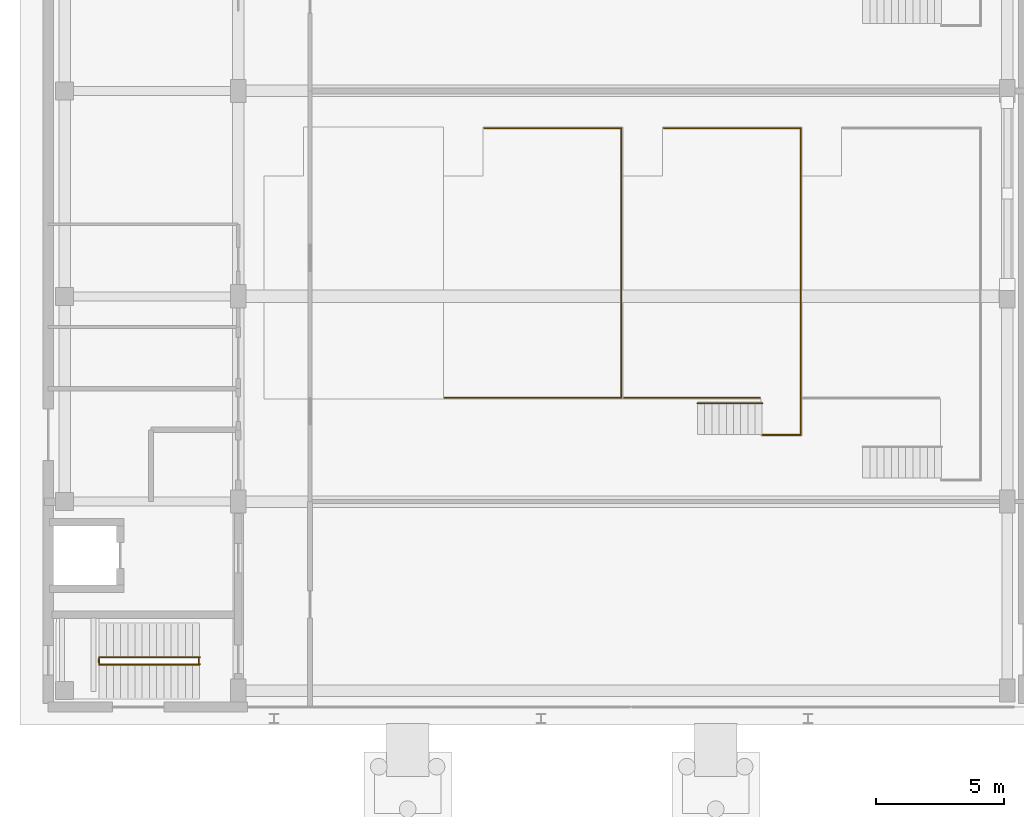
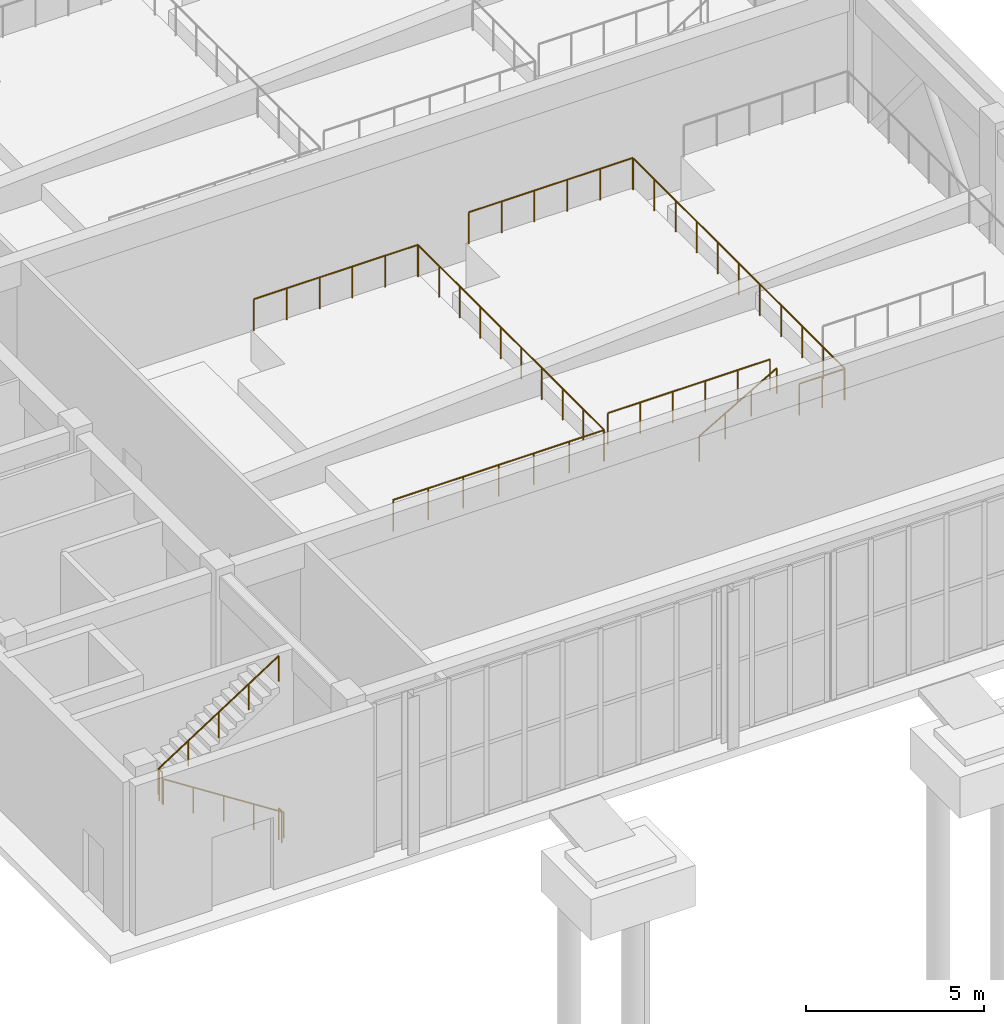
# One storey, part 38 of 46: 12 railings.
"""IFC4 building model written with IfcOpenShell, lengths in metres."""

from ifc_helpers import new_model, si_unit, direction, frame, origin, origin_2d, place, context, subcontext, project, spatial, circle, extrude, material, type_object, element, save


model = new_model("IFC4")

# Units and contexts
model_context = context("Model", 3, precision=1e-05, world=origin(), true_north=direction((0.0, 1.0)))
body_context = subcontext(model_context, "Body", "Model", "MODEL_VIEW")
ifc_project = project(units=[si_unit("LENGTHUNIT", "METRE"), si_unit("AREAUNIT", "SQUARE_METRE"), si_unit("VOLUMEUNIT", "CUBIC_METRE"), si_unit("PLANEANGLEUNIT", "RADIAN"), si_unit("MASSUNIT", "GRAM", prefix="KILO")], contexts=[model_context])

# Site, building, storey
site_placement = place(None, origin())
site = spatial("IfcSite", under=ifc_project, at=site_placement, CompositionType="ELEMENT")
building_placement = place(site_placement, origin())
building = spatial("IfcBuilding", under=site, at=building_placement, Name="Cinchona Park Media Centre", CompositionType="ELEMENT")
storey_placement = place(building_placement, origin())
storey = spatial("IfcBuildingStorey", under=building, at=storey_placement, Name="L00", CompositionType="ELEMENT", Elevation=0.0)

# Railings
ifc_material_1 = material(Name="Painted Steel Stairwell Guardrail", Category="steel")
railing_type_1 = type_object("IfcRailingType", Name="RAILING-GR02", PredefinedType="GUARDRAIL", material=ifc_material_1)
for number, where, name in (
    (1, (13.864990234375, 9.320068359375, 0.0), "Stairwell Guardrail GR02 ST6 L00"),
    (2, (9.97998046875, 9.320068359375, 2.699951171875), "Half-Landing Guardrail GR02 ST6 L00"),
):
    element("IfcRailing", number, at=place(storey_placement, frame(where)), inside=storey, type_object=railing_type_1, Name=name, PredefinedType="GUARDRAIL", context=body_context, shape_type="SweptSolid", body=[
        extrude(circle(Radius=0.02392578125, at=origin_2d()), frame((0.0, 0.0, 1.076171875), z_axis=(0.0, 1.0, 0.0), x_axis=(-1.0, 0.0, 0.0)), (0.0, 0.0, 1.0), 0.159912109375),
        extrude(circle(Radius=0.02099609375, at=origin_2d()), origin(), (0.0, 0.0, 1.0), 1.052001953125),
        extrude(circle(Radius=0.02099609375, at=origin_2d()), frame((0.0, 0.159912109375, 0.0)), (0.0, 0.0, 1.0), 1.052001953125),
    ])
railing_1_placement = place(storey_placement, frame((30.320068359375, 19.679931640625, 1.080078125)))
element("IfcRailing", 3, at=railing_1_placement, inside=storey, type_object=railing_type_1, Name="Auditorium Tier Guardrail GR02 123", PredefinedType="GUARDRAIL", context=body_context, shape_type="SweptSolid", body=[
    extrude(circle(Radius=0.02392578125, at=origin_2d()), frame((0.0, 0.0, 1.076171875), z_axis=(0.0, 1.0, 0.0), x_axis=(-1.0, 0.0, 0.0)), (0.0, 0.0, 1.0), 10.440185546875),
    extrude(circle(Radius=0.02099609375, at=origin_2d()), origin(), (0.0, 0.0, 1.0), 1.052001953125),
    extrude(circle(Radius=0.02099609375, at=origin_2d()), frame((0.0, 1.159912109375, 0.0)), (0.0, 0.0, 1.0), 1.052001953125),
    extrude(circle(Radius=0.02099609375, at=origin_2d()), frame((0.0, 2.320068359375, 0.0)), (0.0, 0.0, 1.0), 1.052001953125),
    extrude(circle(Radius=0.02099609375, at=origin_2d()), frame((0.0, 3.47998046875, 0.0)), (0.0, 0.0, 1.0), 1.052001953125),
    extrude(circle(Radius=0.02099609375, at=origin_2d()), frame((0.0, 4.64013671875, 0.0)), (0.0, 0.0, 1.0), 1.052001953125),
    extrude(circle(Radius=0.02099609375, at=origin_2d()), frame((0.0, 5.800048828125, 0.0)), (0.0, 0.0, 1.0), 1.052001953125),
    extrude(circle(Radius=0.02099609375, at=origin_2d()), frame((0.0, 6.960205078125, 0.0)), (0.0, 0.0, 1.0), 1.052001953125),
    extrude(circle(Radius=0.02099609375, at=origin_2d()), frame((0.0, 8.1201171875, 0.0)), (0.0, 0.0, 1.0), 1.052001953125),
    extrude(circle(Radius=0.02099609375, at=origin_2d()), frame((0.0, 9.2802734375, 0.0)), (0.0, 0.0, 1.0), 1.052001953125),
    extrude(circle(Radius=0.02099609375, at=origin_2d()), frame((0.0, 10.440185546875, 0.0)), (0.0, 0.0, 1.0), 1.052001953125),
])
railing_2_placement = place(storey_placement, frame((23.449951171875, 19.64990234375, 1.080078125)))
element("IfcRailing", 4, at=railing_2_placement, inside=storey, type_object=railing_type_1, Name="Auditorium Tier Side Guardrail GR02 124", PredefinedType="GUARDRAIL", context=body_context, shape_type="SweptSolid", body=[
    extrude(circle(Radius=0.02392578125, at=origin_2d()), frame((0.0, 0.0, 1.076171875), z_axis=(1.0, 0.0, 0.0), x_axis=(0.0, 1.0, 0.0)), (0.0, 0.0, 1.0), 6.8701171875),
    extrude(circle(Radius=0.02099609375, at=origin_2d()), origin(), (0.0, 0.0, 1.0), 1.052001953125),
    extrude(circle(Radius=0.02099609375, at=origin_2d()), frame((1.14501953125, 0.0, 0.0)), (0.0, 0.0, 1.0), 1.052001953125),
    extrude(circle(Radius=0.02099609375, at=origin_2d()), frame((2.2900390625, 0.0, 0.0)), (0.0, 0.0, 1.0), 1.052001953125),
    extrude(circle(Radius=0.02099609375, at=origin_2d()), frame((3.43505859375, 0.0, 0.0)), (0.0, 0.0, 1.0), 1.052001953125),
    extrude(circle(Radius=0.02099609375, at=origin_2d()), frame((4.580078125, 0.0, 0.0)), (0.0, 0.0, 1.0), 1.052001953125),
    extrude(circle(Radius=0.02099609375, at=origin_2d()), frame((5.72509765625, 0.0, 0.0)), (0.0, 0.0, 1.0), 1.052001953125),
    extrude(circle(Radius=0.02099609375, at=origin_2d()), frame((6.8701171875, 0.0, 0.0)), (0.0, 0.0, 1.0), 1.052001953125),
])
railing_3_placement = place(storey_placement, frame((30.320068359375, 30.14990234375, 1.080078125)))
element("IfcRailing", 5, at=railing_3_placement, inside=storey, type_object=railing_type_1, Name="Auditorium Tier Side Guardrail GR02 125", PredefinedType="GUARDRAIL", context=body_context, shape_type="SweptSolid", body=[
    extrude(circle(Radius=0.02392578125, at=origin_2d()), frame((0.0, 0.0, 1.076171875), z_axis=(-1.0, 0.0, 0.0), x_axis=(0.0, -1.0, 0.0)), (0.0, 0.0, 1.0), 5.33203125),
    extrude(circle(Radius=0.02099609375, at=origin_2d()), origin(), (0.0, 0.0, 1.0), 1.052001953125),
    extrude(circle(Radius=0.02099609375, at=origin_2d()), frame((-1.06640625, 0.0, 0.0)), (0.0, 0.0, 1.0), 1.052001953125),
    extrude(circle(Radius=0.02099609375, at=origin_2d()), frame((-2.1328125, 0.0, 0.0)), (0.0, 0.0, 1.0), 1.052001953125),
    extrude(circle(Radius=0.02099609375, at=origin_2d()), frame((-3.19921875, 0.0, 0.0)), (0.0, 0.0, 1.0), 1.052001953125),
    extrude(circle(Radius=0.02099609375, at=origin_2d()), frame((-4.265625, 0.0, 0.0)), (0.0, 0.0, 1.0), 1.052001953125),
    extrude(circle(Radius=0.02099609375, at=origin_2d()), frame((-5.33203125, 0.0, 0.0)), (0.0, 0.0, 1.0), 1.052001953125),
])
railing_4_placement = place(storey_placement, frame((37.31005859375, 18.22998046875, 1.6201171875)))
element("IfcRailing", 6, at=railing_4_placement, inside=storey, type_object=railing_type_1, Name="Auditorium Tier Guardrail GR02 126", PredefinedType="GUARDRAIL", context=body_context, shape_type="SweptSolid", body=[
    extrude(circle(Radius=0.02392578125, at=origin_2d()), frame((0.0, 0.0, 1.076171875), z_axis=(0.0, 1.0, 0.0), x_axis=(-1.0, 0.0, 0.0)), (0.0, 0.0, 1.0), 11.89013671875),
    extrude(circle(Radius=0.02099609375, at=origin_2d()), origin(), (0.0, 0.0, 1.0), 1.052001953125),
    extrude(circle(Radius=0.02099609375, at=origin_2d()), frame((0.0, 1.18896484375, 0.0)), (0.0, 0.0, 1.0), 1.052001953125),
    extrude(circle(Radius=0.02099609375, at=origin_2d()), frame((0.0, 2.3779296875, 0.0)), (0.0, 0.0, 1.0), 1.052001953125),
    extrude(circle(Radius=0.02099609375, at=origin_2d()), frame((0.0, 3.567138671875, 0.0)), (0.0, 0.0, 1.0), 1.052001953125),
    extrude(circle(Radius=0.02099609375, at=origin_2d()), frame((0.0, 4.756103515625, 0.0)), (0.0, 0.0, 1.0), 1.052001953125),
    extrude(circle(Radius=0.02099609375, at=origin_2d()), frame((0.0, 5.945068359375, 0.0)), (0.0, 0.0, 1.0), 1.052001953125),
    extrude(circle(Radius=0.02099609375, at=origin_2d()), frame((0.0, 7.134033203125, 0.0)), (0.0, 0.0, 1.0), 1.052001953125),
    extrude(circle(Radius=0.02099609375, at=origin_2d()), frame((0.0, 8.322998046875, 0.0)), (0.0, 0.0, 1.0), 1.052001953125),
    extrude(circle(Radius=0.02099609375, at=origin_2d()), frame((0.0, 9.51220703125, 0.0)), (0.0, 0.0, 1.0), 1.052001953125),
    extrude(circle(Radius=0.02099609375, at=origin_2d()), frame((0.0, 10.701171875, 0.0)), (0.0, 0.0, 1.0), 1.052001953125),
    extrude(circle(Radius=0.02099609375, at=origin_2d()), frame((0.0, 11.89013671875, 0.0)), (0.0, 0.0, 1.0), 1.052001953125),
])
railing_5_placement = place(storey_placement, frame((30.43994140625, 19.64990234375, 1.6201171875)))
element("IfcRailing", 7, at=railing_5_placement, inside=storey, type_object=railing_type_1, Name="Auditorium Tier Side Guardrail GR02 127", PredefinedType="GUARDRAIL", context=body_context, shape_type="SweptSolid", body=[
    extrude(circle(Radius=0.02392578125, at=origin_2d()), frame((0.0, 0.0, 1.076171875), z_axis=(1.0, 0.0, 0.0), x_axis=(0.0, 1.0, 0.0)), (0.0, 0.0, 1.0), 5.27001953125),
    extrude(circle(Radius=0.02099609375, at=origin_2d()), origin(), (0.0, 0.0, 1.0), 1.052001953125),
    extrude(circle(Radius=0.02099609375, at=origin_2d()), frame((1.053955078125, 0.0, 0.0)), (0.0, 0.0, 1.0), 1.052001953125),
    extrude(circle(Radius=0.02099609375, at=origin_2d()), frame((2.10791015625, 0.0, 0.0)), (0.0, 0.0, 1.0), 1.052001953125),
    extrude(circle(Radius=0.02099609375, at=origin_2d()), frame((3.162109375, 0.0, 0.0)), (0.0, 0.0, 1.0), 1.052001953125),
    extrude(circle(Radius=0.02099609375, at=origin_2d()), frame((4.216064453125, 0.0, 0.0)), (0.0, 0.0, 1.0), 1.052001953125),
    extrude(circle(Radius=0.02099609375, at=origin_2d()), frame((5.27001953125, 0.0, 0.0)), (0.0, 0.0, 1.0), 1.052001953125),
])
railing_6_placement = place(storey_placement, frame((35.830078125, 18.199951171875, 1.6201171875)))
element("IfcRailing", 8, at=railing_6_placement, inside=storey, type_object=railing_type_1, Name="Auditorium Tier Side Guardrail GR02 128", PredefinedType="GUARDRAIL", context=body_context, shape_type="SweptSolid", body=[
    extrude(circle(Radius=0.02392578125, at=origin_2d()), frame((0.0, 0.0, 1.076171875), z_axis=(1.0, 0.0, 0.0), x_axis=(0.0, 1.0, 0.0)), (0.0, 0.0, 1.0), 1.47998046875),
    extrude(circle(Radius=0.02099609375, at=origin_2d()), origin(), (0.0, 0.0, 1.0), 1.052001953125),
    extrude(circle(Radius=0.02099609375, at=origin_2d()), frame((0.739990234375, 0.0, 0.0)), (0.0, 0.0, 1.0), 1.052001953125),
    extrude(circle(Radius=0.02099609375, at=origin_2d()), frame((1.47998046875, 0.0, 0.0)), (0.0, 0.0, 1.0), 1.052001953125),
])
railing_7_placement = place(storey_placement, frame((37.31005859375, 30.14990234375, 1.6201171875)))
element("IfcRailing", 9, at=railing_7_placement, inside=storey, type_object=railing_type_1, Name="Auditorium Tier Side Guardrail GR02 129", PredefinedType="GUARDRAIL", context=body_context, shape_type="SweptSolid", body=[
    extrude(circle(Radius=0.02392578125, at=origin_2d()), frame((0.0, 0.0, 1.076171875), z_axis=(-1.0, 0.0, 0.0), x_axis=(0.0, -1.0, 0.0)), (0.0, 0.0, 1.0), 5.33203125),
    extrude(circle(Radius=0.02099609375, at=origin_2d()), origin(), (0.0, 0.0, 1.0), 1.052001953125),
    extrude(circle(Radius=0.02099609375, at=origin_2d()), frame((-1.06640625, 0.0, 0.0)), (0.0, 0.0, 1.0), 1.052001953125),
    extrude(circle(Radius=0.02099609375, at=origin_2d()), frame((-2.1328125, 0.0, 0.0)), (0.0, 0.0, 1.0), 1.052001953125),
    extrude(circle(Radius=0.02099609375, at=origin_2d()), frame((-3.19921875, 0.0, 0.0)), (0.0, 0.0, 1.0), 1.052001953125),
    extrude(circle(Radius=0.02099609375, at=origin_2d()), frame((-4.265625, 0.0, 0.0)), (0.0, 0.0, 1.0), 1.052001953125),
    extrude(circle(Radius=0.02099609375, at=origin_2d()), frame((-5.33203125, 0.0, 0.0)), (0.0, 0.0, 1.0), 1.052001953125),
])
ifc_material_2 = material(Name="Brushed Stainless Steel Handrail", Category="steel")
railing_type_2 = type_object("IfcRailingType", Name="RAILING-HR01", PredefinedType="HANDRAIL", material=ifc_material_2)
railing_8_placement = place(storey_placement, frame((13.89990234375, 9.260009765625, 0.179931640625)))
element("IfcRailing", 10, at=railing_8_placement, inside=storey, type_object=railing_type_2, Name="Stair Handrail HR01 ST6 L00 F1", PredefinedType="HANDRAIL", context=body_context, shape_type="SweptSolid", body=[
    extrude(circle(Radius=0.02392578125, at=origin_2d()), frame((0.0, 0.0, 0.8759765625), z_axis=(-0.841171666519, 0.0, 0.540768182723), x_axis=(0.0, -1.0, 0.0)), (0.0, 0.0, 1.0), 4.66015625),
    extrude(circle(Radius=0.02099609375, at=origin_2d()), origin(), (0.0, 0.0, 1.0), 0.851806640625),
    extrude(circle(Radius=0.02099609375, at=origin_2d()), frame((-0.97998046875, 0.0, 0.6298828125)), (0.0, 0.0, 1.0), 0.851806640625),
    extrude(circle(Radius=0.02099609375, at=origin_2d()), frame((-1.9599609375, 0.0, 1.260009765625)), (0.0, 0.0, 1.0), 0.851806640625),
    extrude(circle(Radius=0.02099609375, at=origin_2d()), frame((-2.93994140625, 0.0, 1.89013671875)), (0.0, 0.0, 1.0), 0.851806640625),
    extrude(circle(Radius=0.02099609375, at=origin_2d()), frame((-3.919921875, 0.0, 2.52001953125)), (0.0, 0.0, 1.0), 0.851806640625),
])
railing_9_placement = place(storey_placement, frame((9.97998046875, 9.5400390625, 2.8798828125)))
element("IfcRailing", 11, at=railing_9_placement, inside=storey, type_object=railing_type_2, Name="Stair Handrail HR01 ST6 L00 F2", PredefinedType="HANDRAIL", context=body_context, shape_type="SweptSolid", body=[
    extrude(circle(Radius=0.02392578125, at=origin_2d()), frame((0.0, 0.0, 0.8759765625), z_axis=(0.841171666519, 0.0, 0.540768182723), x_axis=(0.0, 1.0, 0.0)), (0.0, 0.0, 1.0), 4.66015625),
    extrude(circle(Radius=0.02099609375, at=origin_2d()), origin(), (0.0, 0.0, 1.0), 0.851806640625),
    extrude(circle(Radius=0.02099609375, at=origin_2d()), frame((0.97998046875, 0.0, 0.6298828125)), (0.0, 0.0, 1.0), 0.851806640625),
    extrude(circle(Radius=0.02099609375, at=origin_2d()), frame((1.9599609375, 0.0, 1.260009765625)), (0.0, 0.0, 1.0), 0.851806640625),
    extrude(circle(Radius=0.02099609375, at=origin_2d()), frame((2.93994140625, 0.0, 1.89013671875)), (0.0, 0.0, 1.0), 0.851806640625),
    extrude(circle(Radius=0.02099609375, at=origin_2d()), frame((3.919921875, 0.0, 2.52001953125)), (0.0, 0.0, 1.0), 0.851806640625),
])
railing_10_placement = place(storey_placement, frame((33.2900390625, 19.43505859375, 0.162109375)))
element("IfcRailing", 12, at=railing_10_placement, inside=storey, type_object=railing_type_2, Name="Handrail HR01 SVM7", PredefinedType="HANDRAIL", context=body_context, shape_type="SweptSolid", body=[
    extrude(circle(Radius=0.02392578125, at=origin_2d()), frame((0.0, 0.0, 0.8759765625), z_axis=(0.865567867666, 0.0, 0.50079163977), x_axis=(0.0, 1.0, 0.0)), (0.0, 0.0, 1.0), 2.911376953125),
    extrude(circle(Radius=0.02099609375, at=origin_2d()), origin(), (0.0, 0.0, 1.0), 0.851806640625),
    extrude(circle(Radius=0.02099609375, at=origin_2d()), frame((0.840087890625, 0.0, 0.486083984375)), (0.0, 0.0, 1.0), 0.851806640625),
    extrude(circle(Radius=0.02099609375, at=origin_2d()), frame((1.679931640625, 0.0, 0.971923828125)), (0.0, 0.0, 1.0), 0.851806640625),
    extrude(circle(Radius=0.02099609375, at=origin_2d()), frame((2.52001953125, 0.0, 1.4580078125)), (0.0, 0.0, 1.0), 0.851806640625),
])

save(model, "model.ifc")
